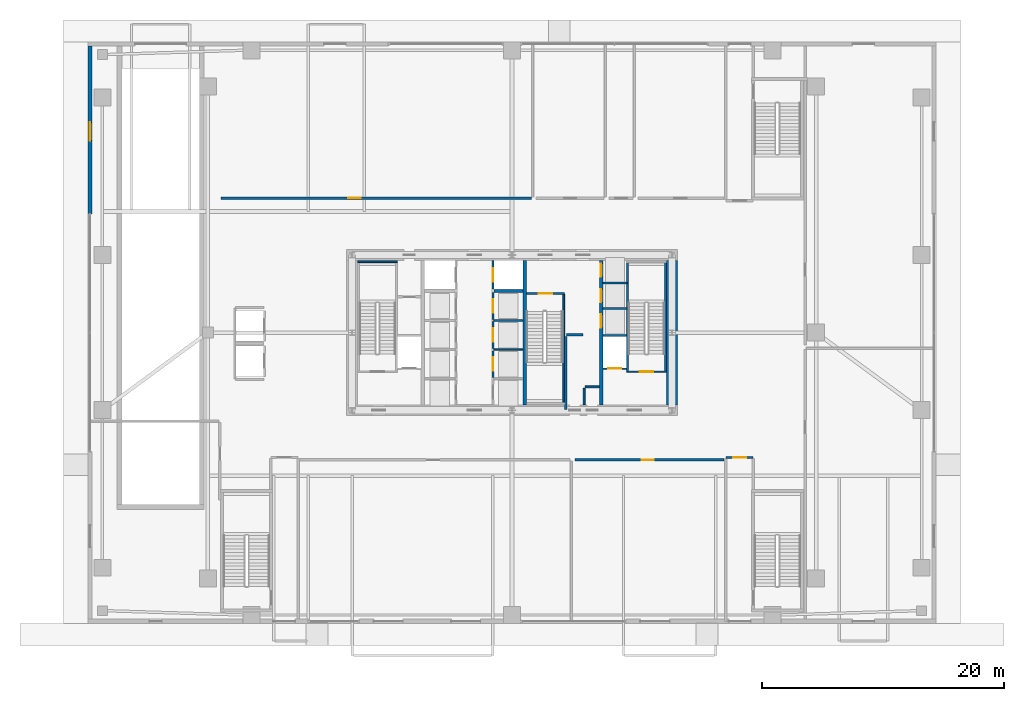
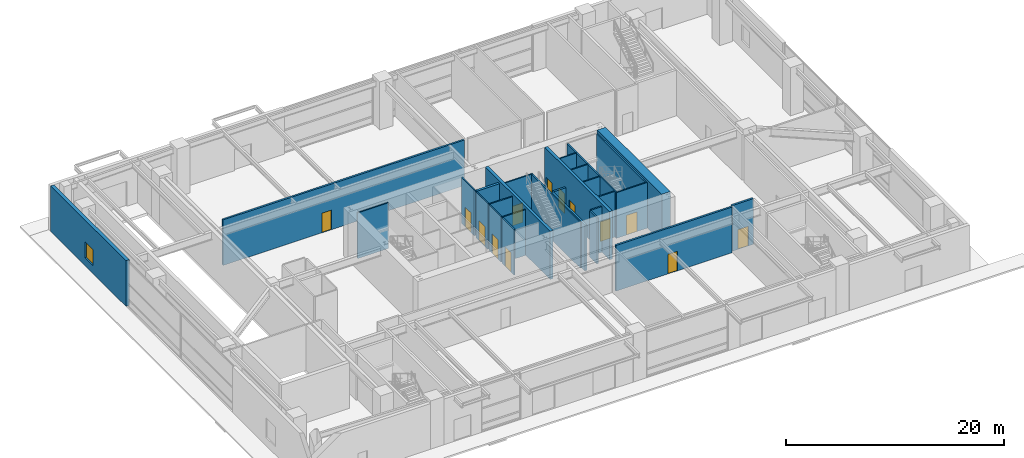
# One storey, part 26 of 32: 28 walls, 13 doors, 1 window, 14 openings.
"""IFC4 building model written with IfcOpenShell, lengths in metres."""

from ifc_helpers import new_model, si_unit, direction, frame, frame_2d, origin, place, context, subcontext, project, spatial, rectangle, extrude, source, transform, mapped, material, layer, layer_set, type_object, element, fill, save


model = new_model("IFC4")

# Units and contexts
model_context = context("Model", 3, precision=1e-05, world=origin(), true_north=direction((0.0, 1.0)))
body_context = subcontext(model_context, "Body", "Model", "MODEL_VIEW")
ifc_project = project(units=[si_unit("LENGTHUNIT", "METRE"), si_unit("AREAUNIT", "SQUARE_METRE"), si_unit("VOLUMEUNIT", "CUBIC_METRE"), si_unit("PLANEANGLEUNIT", "RADIAN"), si_unit("MASSUNIT", "GRAM", prefix="KILO"), si_unit("THERMODYNAMICTEMPERATUREUNIT", "KELVIN"), si_unit("POWERUNIT", "WATT")], contexts=[model_context])

# Site, building, storey
site_placement = place(None, origin())
site = spatial("IfcSite", under=ifc_project, at=site_placement, CompositionType="ELEMENT")
building_placement = place(site_placement, origin())
building = spatial("IfcBuilding", under=site, at=building_placement, Name="Yuzanri Waterfront Tower", CompositionType="ELEMENT")
storey_placement = place(building_placement, origin())
storey = spatial("IfcBuildingStorey", under=building, at=storey_placement, Name="L01", CompositionType="ELEMENT", Elevation=0.0)

# Wall, openings, doors
ifc_material_1 = material(Name="Concrete C50", Category="concrete")
ifc_layer_1 = layer(ifc_material_1, 0.300048828125)
ifc_layer_set_1 = layer_set([ifc_layer_1], Name="Concrete C50")
wall_type_1 = type_object("IfcWallType", Name="Concrete C50 Internal Core Shaft Structural Wall 300", PredefinedType="SOLIDWALL", material=ifc_layer_set_1)
wall_1_placement = place(storey_placement, frame((44.35009765625, 19.85009765625, 0.0), z_axis=(0.0, 0.0, 1.0), x_axis=(0.0, 1.0, 0.0)))
wall_1 = element("IfcWall", 1, at=wall_1_placement, inside=storey, type_object=wall_type_1, Name="L01 Core Internal Structural Web Wall 3", PredefinedType="SOLIDWALL", context=body_context, shape_type="SweptSolid", body=[
    extrude(rectangle(XDim=11.89990234375, YDim=0.300048828125, at=frame_2d((5.949951171875, 0.0))), origin(), (0.0, 0.0, 1.0), 5.39990234375),
])
opening_1_placement = place(wall_1_placement, frame((6.35009765625, 0.0, 0.0)))
opening_1 = element("IfcOpeningElement", 2, at=opening_1_placement, cuts=wall_1, Name="Opening LD-PL-09", PredefinedType="OPENING", context=body_context, shape_type="SweptSolid", body=[
    extrude(rectangle(XDim=1.10009765625, YDim=2.199951171875, at=frame_2d((0.550048828125, 1.10009765625))), frame((0.0, 0.1650390625, 0.0), z_axis=(0.0, -1.0, 0.0), x_axis=(1.0, 0.0, 0.0)), (0.0, 0.0, 1.0), 0.329833984375),
])
opening_2_placement = place(wall_1_placement, frame((8.449951171875, 0.0, 0.0)))
opening_2 = element("IfcOpeningElement", 3, at=opening_2_placement, cuts=wall_1, Name="Opening LD-PL-10", PredefinedType="OPENING", context=body_context, shape_type="SweptSolid", body=[
    extrude(rectangle(XDim=1.10009765625, YDim=2.199951171875, at=frame_2d((0.550048828125, 1.10009765625))), frame((0.0, 0.1650390625, 0.0), z_axis=(0.0, -1.0, 0.0), x_axis=(1.0, 0.0, 0.0)), (0.0, 0.0, 1.0), 0.329833984375),
])
opening_3_placement = place(wall_1_placement, frame((10.550048828125, 0.0, 0.0)))
opening_3 = element("IfcOpeningElement", 4, at=opening_3_placement, cuts=wall_1, Name="Opening LD-PL-11", PredefinedType="OPENING", context=body_context, shape_type="SweptSolid", body=[
    extrude(rectangle(XDim=1.10009765625, YDim=2.199951171875, at=frame_2d((0.550048828125, 1.10009765625))), frame((0.0, 0.1650390625, 0.0), z_axis=(0.0, -1.0, 0.0), x_axis=(1.0, 0.0, 0.0)), (0.0, 0.0, 1.0), 0.329833984375),
])
ifc_material_2 = material(Name="Brushed Bronze and Stainless Steel Cab", Category="steel")
door_type_1 = type_object("IfcDoorType", Name="Center-Parting Bronze Lift Landing Sliding Door 1100x2200", OperationType="NOTDEFINED", PredefinedType="DOOR", material=ifc_material_2)
shared_shape_1 = source(origin(), body_context, "Body", "SweptSolid", [
    extrude(rectangle(XDim=1.10009765625, YDim=2.199951171875, at=frame_2d((0.550048828125, 1.10009765625))), frame((0.0, 0.02490234375, 0.0), z_axis=(0.0, -1.0, 0.0), x_axis=(1.0, 0.0, 0.0)), (0.0, 0.0, 1.0), 0.050048828125),
])
door_1_placement = place(opening_1_placement, origin())
door_1 = element("IfcDoor", 5, at=door_1_placement, inside=storey, type_object=door_type_1, Name="L01 PL-09 Lift Landing Sliding Door", OperationType="SLIDING_TO_LEFT", OverallHeight=2.199951171875, OverallWidth=1.10009765625, PredefinedType="DOOR", context=body_context, shape_type="MappedRepresentation", body=[
    mapped(shared_shape_1, transform((0.0, 0.0, 0.0), scale=1.0)),
])
fill(opening_1, door_1)
door_2_placement = place(opening_2_placement, origin())
door_2 = element("IfcDoor", 6, at=door_2_placement, inside=storey, type_object=door_type_1, Name="L01 PL-10 Lift Landing Sliding Door", OperationType="SLIDING_TO_RIGHT", OverallHeight=2.199951171875, OverallWidth=1.10009765625, PredefinedType="DOOR", context=body_context, shape_type="MappedRepresentation", body=[
    mapped(shared_shape_1, transform((0.0, 0.0, 0.0), scale=1.0)),
])
fill(opening_2, door_2)
door_3_placement = place(opening_3_placement, origin())
door_3 = element("IfcDoor", 7, at=door_3_placement, inside=storey, type_object=door_type_1, Name="L01 PL-11 Lift Landing Sliding Door", OperationType="SLIDING_TO_LEFT", OverallHeight=2.199951171875, OverallWidth=1.10009765625, PredefinedType="DOOR", context=body_context, shape_type="MappedRepresentation", body=[
    mapped(shared_shape_1, transform((0.0, 0.0, 0.0), scale=1.0)),
])
fill(opening_3, door_3)

# Wall, opening, door
ifc_material_3 = material(Name="Concrete C40", Category="concrete")
ifc_layer_2 = layer(ifc_material_3, 0.139892578125)
ifc_layer_set_2 = layer_set([ifc_layer_2], Name="Concrete C40")
wall_type_2 = type_object("IfcWallType", Name="Core Stair Liner and Hoistway Shaft Wall 140", PredefinedType="SOLIDWALL", material=ifc_layer_set_2)
wall_2_placement = place(storey_placement, frame((44.52001953125, 22.830078125, 0.0), z_axis=(0.0, 0.0, 1.0), x_axis=(1.0, 0.0, 0.0)))
wall_2 = element("IfcWall", 8, at=wall_2_placement, inside=storey, type_object=wall_type_2, Name="L01 Lift FL-02 Front Shaft Wall", PredefinedType="SOLIDWALL", context=body_context, shape_type="SweptSolid", body=[
    extrude(rectangle(XDim=1.919921875, YDim=0.139892578125, at=frame_2d((0.9599609375, 0.0))), origin(), (0.0, 0.0, 1.0), 5.1201171875),
])
opening_4_placement = place(wall_2_placement, frame((0.409912109375, 0.0, 0.0)))
opening_4 = element("IfcOpeningElement", 9, at=opening_4_placement, cuts=wall_2, Name="Opening LD-FL-02", PredefinedType="OPENING", context=body_context, shape_type="SweptSolid", body=[
    extrude(rectangle(XDim=1.10009765625, YDim=2.199951171875, at=frame_2d((0.550048828125, 1.10009765625))), frame((0.0, 0.0849609375, 0.0), z_axis=(0.0, -1.0, 0.0), x_axis=(1.0, 0.0, 0.0)), (0.0, 0.0, 1.0), 0.169677734375),
])
door_4_placement = place(opening_4_placement, origin())
door_4 = element("IfcDoor", 10, at=door_4_placement, inside=storey, type_object=door_type_1, Name="L01 FL-02 Lift Landing Sliding Door", OperationType="SLIDING_TO_RIGHT", OverallHeight=2.199951171875, OverallWidth=1.10009765625, PredefinedType="DOOR", context=body_context, shape_type="MappedRepresentation", body=[
    mapped(shared_shape_1, transform((0.0, 0.0, 0.0), scale=1.0)),
])
fill(opening_4, door_4)

wall_3_placement = place(storey_placement, frame((35.429931640625, 22.10009765625, 0.0), z_axis=(0.0, 0.0, 1.0), x_axis=(0.0, 1.0, 0.0)))
wall_3 = element("IfcWall", 11, at=wall_3_placement, inside=storey, type_object=wall_type_2, Name="L01 Lift PL-06 Front Shaft Wall", PredefinedType="SOLIDWALL", context=body_context, shape_type="SweptSolid", body=[
    extrude(rectangle(XDim=2.199951171875, YDim=0.139892578125, at=frame_2d((1.10009765625, 0.0))), origin(), (0.0, 0.0, 1.0), 5.1201171875),
])
opening_5_placement = place(wall_3_placement, frame((0.550048828125, 0.0, 0.0)))
opening_5 = element("IfcOpeningElement", 12, at=opening_5_placement, cuts=wall_3, Name="Opening LD-PL-06", PredefinedType="OPENING", context=body_context, shape_type="SweptSolid", body=[
    extrude(rectangle(XDim=1.10009765625, YDim=2.199951171875, at=frame_2d((0.550048828125, 1.10009765625))), frame((0.0, 0.0849609375, 0.0), z_axis=(0.0, -1.0, 0.0), x_axis=(1.0, 0.0, 0.0)), (0.0, 0.0, 1.0), 0.169677734375),
])
door_5_placement = place(opening_5_placement, origin())
door_5 = element("IfcDoor", 13, at=door_5_placement, inside=storey, type_object=door_type_1, Name="L01 PL-06 Lift Landing Sliding Door", OperationType="SLIDING_TO_LEFT", OverallHeight=2.199951171875, OverallWidth=1.10009765625, PredefinedType="DOOR", context=body_context, shape_type="MappedRepresentation", body=[
    mapped(shared_shape_1, transform((0.0, 0.0, 0.0), scale=1.0)),
])
fill(opening_5, door_5)

wall_4_placement = place(storey_placement, frame((35.429931640625, 24.5, 0.0), z_axis=(0.0, 0.0, 1.0), x_axis=(0.0, 1.0, 0.0)))
wall_4 = element("IfcWall", 14, at=wall_4_placement, inside=storey, type_object=wall_type_2, Name="L01 Lift PL-07 Front Shaft Wall", PredefinedType="SOLIDWALL", context=body_context, shape_type="SweptSolid", body=[
    extrude(rectangle(XDim=2.199951171875, YDim=0.139892578125, at=frame_2d((1.10009765625, 0.0))), origin(), (0.0, 0.0, 1.0), 5.1201171875),
])
opening_6_placement = place(wall_4_placement, frame((0.550048828125, 0.0, 0.0)))
opening_6 = element("IfcOpeningElement", 15, at=opening_6_placement, cuts=wall_4, Name="Opening LD-PL-07", PredefinedType="OPENING", context=body_context, shape_type="SweptSolid", body=[
    extrude(rectangle(XDim=1.10009765625, YDim=2.199951171875, at=frame_2d((0.550048828125, 1.10009765625))), frame((0.0, 0.0849609375, 0.0), z_axis=(0.0, -1.0, 0.0), x_axis=(1.0, 0.0, 0.0)), (0.0, 0.0, 1.0), 0.169677734375),
])
door_6_placement = place(opening_6_placement, origin())
door_6 = element("IfcDoor", 16, at=door_6_placement, inside=storey, type_object=door_type_1, Name="L01 PL-07 Lift Landing Sliding Door", OperationType="SLIDING_TO_RIGHT", OverallHeight=2.199951171875, OverallWidth=1.10009765625, PredefinedType="DOOR", context=body_context, shape_type="MappedRepresentation", body=[
    mapped(shared_shape_1, transform((0.0, 0.0, 0.0), scale=1.0)),
])
fill(opening_6, door_6)

wall_5_placement = place(storey_placement, frame((35.429931640625, 26.89990234375, 0.0), z_axis=(0.0, 0.0, 1.0), x_axis=(0.0, 1.0, 0.0)))
wall_5 = element("IfcWall", 17, at=wall_5_placement, inside=storey, type_object=wall_type_2, Name="L01 Lift PL-08 Front Shaft Wall", PredefinedType="SOLIDWALL", context=body_context, shape_type="SweptSolid", body=[
    extrude(rectangle(XDim=2.2001953125, YDim=0.139892578125, at=frame_2d((1.10009765625, 0.0))), origin(), (0.0, 0.0, 1.0), 5.1201171875),
])
opening_7_placement = place(wall_5_placement, frame((0.550048828125, 0.0, 0.0)))
opening_7 = element("IfcOpeningElement", 18, at=opening_7_placement, cuts=wall_5, Name="Opening LD-PL-08", PredefinedType="OPENING", context=body_context, shape_type="SweptSolid", body=[
    extrude(rectangle(XDim=1.10009765625, YDim=2.199951171875, at=frame_2d((0.550048828125, 1.10009765625))), frame((0.0, 0.0849609375, 0.0), z_axis=(0.0, -1.0, 0.0), x_axis=(1.0, 0.0, 0.0)), (0.0, 0.0, 1.0), 0.169677734375),
])
door_7_placement = place(opening_7_placement, origin())
door_7 = element("IfcDoor", 19, at=door_7_placement, inside=storey, type_object=door_type_1, Name="L01 PL-08 Lift Landing Sliding Door", OperationType="SLIDING_TO_LEFT", OverallHeight=2.199951171875, OverallWidth=1.10009765625, PredefinedType="DOOR", context=body_context, shape_type="MappedRepresentation", body=[
    mapped(shared_shape_1, transform((0.0, 0.0, 0.0), scale=1.0)),
])
fill(opening_7, door_7)

wall_6_placement = place(storey_placement, frame((35.429931640625, 29.39990234375, 0.0), z_axis=(0.0, 0.0, 1.0), x_axis=(0.0, 1.0, 0.0)))
wall_6 = element("IfcWall", 20, at=wall_6_placement, inside=storey, type_object=wall_type_2, Name="L01 Lift SL-02 Front Shaft Wall", PredefinedType="SOLIDWALL", context=body_context, shape_type="SweptSolid", body=[
    extrude(rectangle(XDim=2.340087890625, YDim=0.139892578125, at=frame_2d((1.169921875, 0.0))), origin(), (0.0, 0.0, 1.0), 5.1201171875),
])
opening_8_placement = place(wall_6_placement, frame((0.6201171875, 0.0, 0.0)))
opening_8 = element("IfcOpeningElement", 21, at=opening_8_placement, cuts=wall_6, Name="Opening LD-SL-02", PredefinedType="OPENING", context=body_context, shape_type="SweptSolid", body=[
    extrude(rectangle(XDim=1.10009765625, YDim=2.199951171875, at=frame_2d((0.550048828125, 1.10009765625))), frame((0.0, 0.0849609375, 0.0), z_axis=(0.0, -1.0, 0.0), x_axis=(1.0, 0.0, 0.0)), (0.0, 0.0, 1.0), 0.169677734375),
])
door_8_placement = place(opening_8_placement, origin())
door_8 = element("IfcDoor", 22, at=door_8_placement, inside=storey, type_object=door_type_1, Name="L01 SL-02 Lift Landing Sliding Door", OperationType="SLIDING_TO_RIGHT", OverallHeight=2.199951171875, OverallWidth=1.10009765625, PredefinedType="DOOR", context=body_context, shape_type="MappedRepresentation", body=[
    mapped(shared_shape_1, transform((0.0, 0.0, 0.0), scale=1.0)),
])
fill(opening_8, door_8)

wall_7_placement = place(storey_placement, frame((46.4599609375, 22.570068359375, 0.0), z_axis=(0.0, 0.0, 1.0), x_axis=(1.0, 0.0, 0.0)))
wall_7 = element("IfcWall", 23, at=wall_7_placement, inside=storey, type_object=wall_type_2, Name="L01 Shaft Wall STW-L01-ST-02-S", PredefinedType="SOLIDWALL", context=body_context, shape_type="SweptSolid", body=[
    extrude(rectangle(XDim=3.280029296875, YDim=0.139892578125, at=frame_2d((1.64013671875, 0.0))), origin(), (0.0, 0.0, 1.0), 5.1201171875),
])
opening_9_placement = place(wall_7_placement, frame((1.090087890625, 0.0, 0.0)))
opening_9 = element("IfcOpeningElement", 24, at=opening_9_placement, cuts=wall_7, Name="Opening FD-1100", PredefinedType="OPENING", context=body_context, shape_type="SweptSolid", body=[
    extrude(rectangle(XDim=1.10009765625, YDim=2.199951171875, at=frame_2d((0.550048828125, 1.10009765625))), frame((0.0, 0.0849609375, 0.0), z_axis=(0.0, -1.0, 0.0), x_axis=(1.0, 0.0, 0.0)), (0.0, 0.0, 1.0), 0.169677734375),
])
ifc_material_4 = material(Name="Painted Galvanized Fire Steel", Category="steel")
door_type_2 = type_object("IfcDoorType", Name="Smoke-Proof Stair and Lobby Fire Door 1100x2200", OperationType="NOTDEFINED", PredefinedType="DOOR", material=ifc_material_4)
shared_shape_2 = source(origin(), body_context, "Body", "SweptSolid", [
    extrude(rectangle(XDim=1.10009765625, YDim=2.199951171875, at=frame_2d((0.550048828125, 1.10009765625))), frame((0.0, 0.02490234375, 0.0), z_axis=(0.0, -1.0, 0.0), x_axis=(1.0, 0.0, 0.0)), (0.0, 0.0, 1.0), 0.050048828125),
])
door_9_placement = place(opening_9_placement, origin())
door_9 = element("IfcDoor", 25, at=door_9_placement, inside=storey, type_object=door_type_2, Name="L01 Stair ST-02 Fire Door", OperationType="SINGLE_SWING_RIGHT", OverallHeight=2.199951171875, OverallWidth=1.10009765625, PredefinedType="DOOR", context=body_context, shape_type="MappedRepresentation", body=[
    mapped(shared_shape_2, transform((0.0, 0.0, 0.0), scale=1.0)),
])
fill(opening_9, door_9)

wall_8_placement = place(storey_placement, frame((38.199951171875, 29.030029296875, 0.0), z_axis=(0.0, 0.0, 1.0), x_axis=(1.0, 0.0, 0.0)))
wall_8 = element("IfcWall", 26, at=wall_8_placement, inside=storey, type_object=wall_type_2, Name="L01 Shaft Wall STW-L01-ST-03-N", PredefinedType="SOLIDWALL", context=body_context, shape_type="SweptSolid", body=[
    extrude(rectangle(XDim=3.14013671875, YDim=0.139892578125, at=frame_2d((1.570068359375, 0.0))), origin(), (0.0, 0.0, 1.0), 5.1201171875),
])
opening_10_placement = place(wall_8_placement, frame((1.02001953125, 0.0, 0.0)))
opening_10 = element("IfcOpeningElement", 27, at=opening_10_placement, cuts=wall_8, Name="Opening FD-1100", PredefinedType="OPENING", context=body_context, shape_type="SweptSolid", body=[
    extrude(rectangle(XDim=1.10009765625, YDim=2.199951171875, at=frame_2d((0.550048828125, 1.10009765625))), frame((0.0, 0.0849609375, 0.0), z_axis=(0.0, -1.0, 0.0), x_axis=(1.0, 0.0, 0.0)), (0.0, 0.0, 1.0), 0.169677734375),
])
door_10_placement = place(opening_10_placement, origin())
door_10 = element("IfcDoor", 28, at=door_10_placement, inside=storey, type_object=door_type_2, Name="L01 Stair ST-03 Fire Door", OperationType="SINGLE_SWING_LEFT", OverallHeight=2.199951171875, OverallWidth=1.10009765625, PredefinedType="DOOR", context=body_context, shape_type="MappedRepresentation", body=[
    mapped(shared_shape_2, transform((0.0, 0.0, 0.0), scale=1.0)),
])
fill(opening_10, door_10)

ifc_material_5 = material(Name="Autoclaved Aerated Concrete Blockwork", Category="masonry")
ifc_layer_3 = layer(ifc_material_5, 0.199951171875)
ifc_layer_set_3 = layer_set([ifc_layer_3], Name="Autoclaved Aerated Concrete Blockwork")
wall_type_3 = type_object("IfcWallType", Name="Corridor and Unit Party Fire Wall 200", PredefinedType="PARTITIONING", material=ifc_layer_set_3)
wall_9_placement = place(storey_placement, frame((54.64990234375, 15.5, 0.0), z_axis=(0.0, 0.0, 1.0), x_axis=(1.0, 0.0, 0.0)))
wall_9 = element("IfcWall", 29, at=wall_9_placement, inside=storey, type_object=wall_type_3, Name="L01 Partition EXW-L01-SE", PredefinedType="PARTITIONING", context=body_context, shape_type="SweptSolid", body=[
    extrude(rectangle(XDim=2.25, YDim=0.199951171875, at=frame_2d((1.125, 0.0))), origin(), (0.0, 0.0, 1.0), 5.1201171875),
])
opening_11_placement = place(wall_9_placement, frame((0.60009765625, 0.0, 0.0)))
opening_11 = element("IfcOpeningElement", 30, at=opening_11_placement, cuts=wall_9, Name="Opening FD-1100", PredefinedType="OPENING", context=body_context, shape_type="SweptSolid", body=[
    extrude(rectangle(XDim=1.10009765625, YDim=2.199951171875, at=frame_2d((0.550048828125, 1.10009765625))), frame((0.0, 0.11474609375, 0.0), z_axis=(0.0, -1.0, 0.0), x_axis=(1.0, 0.0, 0.0)), (0.0, 0.0, 1.0), 0.229736328125),
])
door_11_placement = place(opening_11_placement, origin())
door_11 = element("IfcDoor", 31, at=door_11_placement, inside=storey, type_object=door_type_2, Name="L01 South-East Protected Exit Passage Fire Door", OperationType="SINGLE_SWING_RIGHT", OverallHeight=2.199951171875, OverallWidth=1.10009765625, PredefinedType="DOOR", context=body_context, shape_type="MappedRepresentation", body=[
    mapped(shared_shape_2, transform((0.0, 0.0, 0.0), scale=1.0)),
])
fill(opening_11, door_11)

wall_10_placement = place(storey_placement, frame((42.199951171875, 15.300048828125, 0.0), z_axis=(0.0, 0.0, 1.0), x_axis=(1.0, 0.0, 0.0)))
wall_10 = element("IfcWall", 32, at=wall_10_placement, inside=storey, type_object=wall_type_3, Name="L01 Partition PRW-L01-028-N", PredefinedType="PARTITIONING", context=body_context, shape_type="SweptSolid", body=[
    extrude(rectangle(XDim=12.300048828125, YDim=0.199951171875, at=frame_2d((6.14990234375, 0.0))), origin(), (0.0, 0.0, 1.0), 5.1201171875),
])
opening_12_placement = place(wall_10_placement, frame((5.5, 0.0, 0.0)))
opening_12 = element("IfcOpeningElement", 33, at=opening_12_placement, cuts=wall_10, Name="Opening FD-1000", PredefinedType="OPENING", context=body_context, shape_type="SweptSolid", body=[
    extrude(rectangle(XDim=1.0, YDim=2.199951171875, at=frame_2d((0.5, 1.10009765625))), frame((0.0, 0.11474609375, 0.0), z_axis=(0.0, -1.0, 0.0), x_axis=(1.0, 0.0, 0.0)), (0.0, 0.0, 1.0), 0.229736328125),
])
ifc_material_6 = material(Name="Engineered Oak Fire-Rated Timber", Category="wood")
door_type_3 = type_object("IfcDoorType", Name="Guestroom and Apartment Entrance Fire Door 1000x2200", OperationType="NOTDEFINED", PredefinedType="DOOR", material=ifc_material_6)
shared_shape_3 = source(origin(), body_context, "Body", "SweptSolid", [
    extrude(rectangle(XDim=1.0, YDim=2.199951171875, at=frame_2d((0.5, 1.10009765625))), frame((0.0, 0.02490234375, 0.0), z_axis=(0.0, -1.0, 0.0), x_axis=(1.0, 0.0, 0.0)), (0.0, 0.0, 1.0), 0.050048828125),
])
door_12_placement = place(opening_12_placement, origin())
door_12 = element("IfcDoor", 34, at=door_12_placement, inside=storey, type_object=door_type_3, Name="L01 Branded Residences Entrance Lobby", OperationType="SINGLE_SWING_RIGHT", OverallHeight=2.199951171875, OverallWidth=1.0, PredefinedType="DOOR", context=body_context, shape_type="MappedRepresentation", body=[
    mapped(shared_shape_3, transform((0.0, 0.0, 0.0), scale=1.0)),
])
fill(opening_12, door_12)

wall_11_placement = place(storey_placement, frame((13.0, 36.89990234375, 0.0), z_axis=(0.0, 0.0, 1.0), x_axis=(1.0, 0.0, 0.0)))
wall_11 = element("IfcWall", 35, at=wall_11_placement, inside=storey, type_object=wall_type_3, Name="L01 Partition PRW-L01-031-S", PredefinedType="PARTITIONING", context=body_context, shape_type="SweptSolid", body=[
    extrude(rectangle(XDim=25.60009765625, YDim=0.199951171875, at=frame_2d((12.800048828125, 0.0))), origin(), (0.0, 0.0, 1.0), 5.1201171875),
])
opening_13_placement = place(wall_11_placement, frame((10.5, 0.0, 0.0)))
opening_13 = element("IfcOpeningElement", 36, at=opening_13_placement, cuts=wall_11, Name="Opening FD-1000", PredefinedType="OPENING", context=body_context, shape_type="SweptSolid", body=[
    extrude(rectangle(XDim=1.0, YDim=2.199951171875, at=frame_2d((0.5, 1.10009765625))), frame((0.0, 0.11474609375, 0.0), z_axis=(0.0, -1.0, 0.0), x_axis=(1.0, 0.0, 0.0)), (0.0, 0.0, 1.0), 0.229736328125),
])
door_13_placement = place(opening_13_placement, origin())
door_13 = element("IfcDoor", 37, at=door_13_placement, inside=storey, type_object=door_type_3, Name="L01 North Boutique Retail Shop", OperationType="SINGLE_SWING_LEFT", OverallHeight=2.199951171875, OverallWidth=1.0, PredefinedType="DOOR", context=body_context, shape_type="MappedRepresentation", body=[
    mapped(shared_shape_3, transform((0.0, 0.0, 0.0), scale=1.0)),
])
fill(opening_13, door_13)

# Wall, opening, window
ifc_material_7 = material(Name="Honed Chongqing Dark Basalt Stone", Category="masonry")
ifc_layer_4 = layer(ifc_material_7, 0.360107421875)
ifc_layer_set_4 = layer_set([ifc_layer_4], Name="Honed Chongqing Dark Basalt Stone")
wall_type_4 = type_object("IfcWallType", Name="Honed Basalt Stone Masonry-Frame Spandrel Wall 360", PredefinedType="SOLIDWALL", material=ifc_layer_set_4)
wall_12_placement = place(storey_placement, frame((2.179931640625, 35.60009765625, 0.0), z_axis=(0.0, 0.0, 1.0), x_axis=(0.0, 1.0, 0.0)))
wall_12 = element("IfcWall", 38, at=wall_12_placement, inside=storey, type_object=wall_type_4, Name="L01 W North Basalt Pier", PredefinedType="SOLIDWALL", context=body_context, shape_type="SweptSolid", body=[
    extrude(rectangle(XDim=13.83984375, YDim=0.360107421875, at=frame_2d((6.919921875, 0.0))), origin(), (0.0, 0.0, 1.0), 5.1201171875),
])
opening_14_placement = place(wall_12_placement, frame((6.050048828125, 0.0, 0.89990234375)))
opening_14 = element("IfcOpeningElement", 39, at=opening_14_placement, cuts=wall_12, Name="Opening WN-04", PredefinedType="OPENING", context=body_context, shape_type="SweptSolid", body=[
    extrude(rectangle(XDim=1.5, YDim=1.800048828125, at=frame_2d((0.75, 0.89990234375))), frame((0.0, 0.19482421875, 0.0), z_axis=(0.0, -1.0, 0.0), x_axis=(1.0, 0.0, 0.0)), (0.0, 0.0, 1.0), 0.389892578125),
])
ifc_material_8 = material(Name="Double-Silver Low-E Insulated Glass", Category="glass")
window_type = type_object("IfcWindowType", Name="Anodized Bronze Suite Operable Tilt-Turn Window 1500x1800", PartitioningType="SINGLE_PANEL", PredefinedType="WINDOW", material=ifc_material_8)
shared_shape_4 = source(origin(), body_context, "Body", "SweptSolid", [
    extrude(rectangle(XDim=1.5, YDim=1.800048828125, at=frame_2d((0.75, 0.89990234375))), frame((0.0, 0.030029296875, 0.0), z_axis=(0.0, -1.0, 0.0), x_axis=(1.0, 0.0, 0.0)), (0.0, 0.0, 1.0), 0.06005859375),
])
window_placement = place(opening_14_placement, origin())
window = element("IfcWindow", 40, at=window_placement, inside=storey, type_object=window_type, Name="L01 WN Window", OverallHeight=1.800048828125, OverallWidth=1.5, PartitioningType="SINGLE_PANEL", PredefinedType="WINDOW", context=body_context, shape_type="MappedRepresentation", body=[
    mapped(shared_shape_4, transform((0.0, 0.0, 0.0), scale=1.0)),
])
fill(opening_14, window)

# Walls
ifc_material_9 = material(Name="Concrete C60", Category="concrete")
ifc_layer_5 = layer(ifc_material_9, 0.89990234375)
ifc_layer_set_5 = layer_set([ifc_layer_5], Name="Concrete C60")
wall_type_5 = type_object("IfcWallType", Name="Concrete C60 Lower Zone Core Shear Wall 900", PredefinedType="SHEAR", material=ifc_layer_set_5)
shared_shape_5 = source(origin(), body_context, "Body", "SweptSolid", [
    extrude(rectangle(XDim=11.89990234375, YDim=0.89990234375, at=frame_2d((5.949951171875, 0.0))), origin(), (0.0, 0.0, 1.0), 5.39990234375),
])
wall_13_placement = place(storey_placement, frame((50.199951171875, 19.85009765625, 0.0), z_axis=(0.0, 0.0, 1.0), x_axis=(0.0, 1.0, 0.0)))
element("IfcWall", 41, at=wall_13_placement, inside=storey, type_object=wall_type_5, Name="L01 Core East Shear Wall", PredefinedType="SHEAR", context=body_context, shape_type="MappedRepresentation", body=[
    mapped(shared_shape_5, transform((0.0, 0.0, 0.0), scale=1.0)),
])
shared_shape_6 = source(origin(), body_context, "Body", "SweptSolid", [
    extrude(rectangle(XDim=11.89990234375, YDim=0.300048828125, at=frame_2d((5.949951171875, 0.0))), origin(), (0.0, 0.0, 1.0), 5.39990234375),
])
wall_14_placement = place(storey_placement, frame((38.050048828125, 19.85009765625, 0.0), z_axis=(0.0, 0.0, 1.0), x_axis=(0.0, 1.0, 0.0)))
element("IfcWall", 42, at=wall_14_placement, inside=storey, type_object=wall_type_1, Name="L01 Core Internal Structural Web Wall 2", PredefinedType="SOLIDWALL", context=body_context, shape_type="MappedRepresentation", body=[
    mapped(shared_shape_6, transform((0.0, 0.0, 0.0), scale=1.0)),
])
shared_shape_7 = source(origin(), body_context, "Body", "SweptSolid", [
    extrude(rectangle(XDim=1.919921875, YDim=0.139892578125, at=frame_2d((0.9599609375, 0.0))), origin(), (0.0, 0.0, 1.0), 5.1201171875),
])
wall_15_placement = place(storey_placement, frame((44.52001953125, 25.570068359375, 0.0), z_axis=(0.0, 0.0, 1.0), x_axis=(1.0, 0.0, 0.0)))
element("IfcWall", 43, at=wall_15_placement, inside=storey, type_object=wall_type_2, Name="L01 Lift FL-02 Back Shaft Wall", PredefinedType="SOLIDWALL", context=body_context, shape_type="MappedRepresentation", body=[
    mapped(shared_shape_7, transform((0.0, 0.0, 0.0), scale=1.0)),
])
shared_shape_8 = source(origin(), body_context, "Body", "SweptSolid", [
    extrude(rectangle(XDim=2.39990234375, YDim=0.139892578125, at=frame_2d((1.199951171875, 0.0))), origin(), (0.0, 0.0, 1.0), 5.1201171875),
])
for number, where, z_axis, x_axis, name in (
    (44, (35.5, 24.39990234375, 0.0), (0.0, 0.0, 1.0), (1.0, 0.0, 0.0), "L01 Lift PL-06 Divider Wall"),
    (45, (35.5, 26.800048828125, 0.0), (0.0, 0.0, 1.0), (1.0, 0.0, 0.0), "L01 Lift PL-07 Divider Wall"),
):
    element("IfcWall", number, at=place(storey_placement, frame(where, z_axis=z_axis, x_axis=x_axis)), inside=storey, type_object=wall_type_2, Name=name, PredefinedType="SOLIDWALL", context=body_context, shape_type="MappedRepresentation", body=[
        mapped(shared_shape_8, transform((0.0, 0.0, 0.0), scale=1.0)),
    ])
ifc_material_10 = material(Name="Concrete C40", Category="concrete")
ifc_layer_6 = layer(ifc_material_10, 0.25)
ifc_layer_set_6 = layer_set([ifc_layer_6], Name="Concrete C40")
wall_type_6 = type_object("IfcWallType", Name="Smoke-Proof Stair and Lift Shaft Wall 250", PredefinedType="SOLIDWALL", material=ifc_layer_set_6)
shared_shape_9 = source(origin(), body_context, "Body", "SweptSolid", [
    extrude(rectangle(XDim=2.39990234375, YDim=0.25, at=frame_2d((1.199951171875, 0.0))), origin(), (0.0, 0.0, 1.0), 5.1201171875),
])
wall_16_placement = place(storey_placement, frame((35.5, 29.25, 0.0), z_axis=(0.0, 0.0, 1.0), x_axis=(1.0, 0.0, 0.0)))
element("IfcWall", 46, at=wall_16_placement, inside=storey, type_object=wall_type_6, Name="L01 Lift SL-02 South Shaft Wall", PredefinedType="SOLIDWALL", context=body_context, shape_type="MappedRepresentation", body=[
    mapped(shared_shape_9, transform((0.0, 0.0, 0.0), scale=1.0)),
])
shared_shape_10 = source(origin(), body_context, "Body", "SweptSolid", [
    extrude(rectangle(XDim=2.0, YDim=0.139892578125, at=frame_2d((1.0, 0.0))), origin(), (0.0, 0.0, 1.0), 5.1201171875),
])
for number, where, z_axis, x_axis, name in (
    (47, (44.5, 27.800048828125, 0.0), (0.0, 0.0, 1.0), (1.0, 0.0, 0.0), "L01 Lift PL-09 Divider Wall"),
    (48, (44.5, 29.89990234375, 0.0), (0.0, 0.0, 1.0), (1.0, 0.0, 0.0), "L01 Lift PL-10 Divider Wall"),
):
    element("IfcWall", number, at=place(storey_placement, frame(where, z_axis=z_axis, x_axis=x_axis)), inside=storey, type_object=wall_type_2, Name=name, PredefinedType="SOLIDWALL", context=body_context, shape_type="MappedRepresentation", body=[
        mapped(shared_shape_10, transform((0.0, 0.0, 0.0), scale=1.0)),
    ])
shared_shape_11 = source(origin(), body_context, "Body", "SweptSolid", [
    extrude(rectangle(XDim=3.280029296875, YDim=0.139892578125, at=frame_2d((1.64013671875, 0.0))), origin(), (0.0, 0.0, 1.0), 5.1201171875),
])
wall_17_placement = place(storey_placement, frame((24.260009765625, 31.64990234375, 0.0), z_axis=(0.0, 0.0, 1.0), x_axis=(1.0, 0.0, 0.0)))
element("IfcWall", 49, at=wall_17_placement, inside=storey, type_object=wall_type_2, Name="L01 Stair ST-01 North Shaft Wall", PredefinedType="SOLIDWALL", context=body_context, shape_type="MappedRepresentation", body=[
    mapped(shared_shape_11, transform((0.0, 0.0, 0.0), scale=1.0)),
])
shared_shape_12 = source(origin(), body_context, "Body", "SweptSolid", [
    extrude(rectangle(XDim=8.940185546875, YDim=0.139892578125, at=frame_2d((4.47021484375, 0.0))), origin(), (0.0, 0.0, 1.0), 5.1201171875),
])
for number, where, z_axis, x_axis, name in (
    (50, (46.530029296875, 22.639892578125, 0.0), (0.0, 0.0, 1.0), (0.0, 1.0, 0.0), "L01 Stair ST-02 West Shaft Wall"),
    (51, (49.669921875, 22.639892578125, 0.0), (0.0, 0.0, 1.0), (0.0, 1.0, 0.0), "L01 Stair ST-02 East Shaft Wall"),
):
    element("IfcWall", number, at=place(storey_placement, frame(where, z_axis=z_axis, x_axis=x_axis)), inside=storey, type_object=wall_type_2, Name=name, PredefinedType="SOLIDWALL", context=body_context, shape_type="MappedRepresentation", body=[
        mapped(shared_shape_12, transform((0.0, 0.0, 0.0), scale=1.0)),
    ])
shared_shape_13 = source(origin(), body_context, "Body", "SweptSolid", [
    extrude(rectangle(XDim=8.93994140625, YDim=0.139892578125, at=frame_2d((4.469970703125, 0.0))), origin(), (0.0, 0.0, 1.0), 5.1201171875),
])
wall_18_placement = place(storey_placement, frame((41.27001953125, 20.02001953125, 0.0), z_axis=(0.0, 0.0, 1.0), x_axis=(0.0, 1.0, 0.0)))
element("IfcWall", 52, at=wall_18_placement, inside=storey, type_object=wall_type_2, Name="L01 Stair ST-03 East Shaft Wall", PredefinedType="SOLIDWALL", context=body_context, shape_type="MappedRepresentation", body=[
    mapped(shared_shape_13, transform((0.0, 0.0, 0.0), scale=1.0)),
])
ifc_material_11 = material(Name="Gypsum Fireboard Acoustic Stud Wall", Category="gypsum")
ifc_layer_7 = layer(ifc_material_11, 0.159912109375)
ifc_layer_set_7 = layer_set([ifc_layer_7], Name="Gypsum Fireboard Acoustic Stud Wall")
wall_type_7 = type_object("IfcWallType", Name="Acoustic Suite Demising Partition 160", PredefinedType="PARTITIONING", material=ifc_layer_set_7)
shared_shape_14 = source(origin(), body_context, "Body", "SweptSolid", [
    extrude(rectangle(XDim=1.33984375, YDim=0.159912109375, at=frame_2d((0.669921875, 0.0))), origin(), (0.0, 0.0, 1.0), 5.1201171875),
])
wall_19_placement = place(storey_placement, frame((42.949951171875, 19.860107421875, 0.0), z_axis=(0.0, 0.0, 1.0), x_axis=(0.0, 1.0, 0.0)))
element("IfcWall", 53, at=wall_19_placement, inside=storey, type_object=wall_type_7, Name="L01 East Wet Riser West Wall", PredefinedType="PARTITIONING", context=body_context, shape_type="MappedRepresentation", body=[
    mapped(shared_shape_14, transform((0.0, 0.0, 0.0), scale=1.0)),
])
shared_shape_15 = source(origin(), body_context, "Body", "SweptSolid", [
    extrude(rectangle(XDim=1.169921875, YDim=0.159912109375, at=frame_2d((0.5849609375, 0.0))), origin(), (0.0, 0.0, 1.0), 5.1201171875),
])
wall_20_placement = place(storey_placement, frame((43.030029296875, 21.320068359375, 0.0), z_axis=(0.0, 0.0, 1.0), x_axis=(1.0, 0.0, 0.0)))
element("IfcWall", 54, at=wall_20_placement, inside=storey, type_object=wall_type_7, Name="L01 East Wet Riser North Wall", PredefinedType="PARTITIONING", context=body_context, shape_type="MappedRepresentation", body=[
    mapped(shared_shape_15, transform((0.0, 0.0, 0.0), scale=1.0)),
])
shared_shape_16 = source(origin(), body_context, "Body", "SweptSolid", [
    extrude(rectangle(XDim=6.06005859375, YDim=0.199951171875, at=frame_2d((3.030029296875, 0.0))), origin(), (0.0, 0.0, 1.0), 5.1201171875),
])
wall_21_placement = place(storey_placement, frame((41.449951171875, 19.43994140625, 0.0), z_axis=(0.0, 0.0, 1.0), x_axis=(0.0, 1.0, 0.0)))
element("IfcWall", 55, at=wall_21_placement, inside=storey, type_object=wall_type_3, Name="L01 Core BOH West Wall 1", PredefinedType="PARTITIONING", context=body_context, shape_type="MappedRepresentation", body=[
    mapped(shared_shape_16, transform((0.0, 0.0, 0.0), scale=1.0)),
])
shared_shape_17 = source(origin(), body_context, "Body", "SweptSolid", [
    extrude(rectangle(XDim=1.35009765625, YDim=0.199951171875, at=frame_2d((0.675048828125, 0.0))), origin(), (0.0, 0.0, 1.0), 5.1201171875),
])
wall_22_placement = place(storey_placement, frame((41.5, 25.6201171875, 0.0), z_axis=(0.0, 0.0, 1.0), x_axis=(1.0, 0.0, 0.0)))
element("IfcWall", 56, at=wall_22_placement, inside=storey, type_object=wall_type_3, Name="L01 Core BOH Split Wall 1", PredefinedType="PARTITIONING", context=body_context, shape_type="MappedRepresentation", body=[
    mapped(shared_shape_17, transform((0.0, 0.0, 0.0), scale=1.0)),
])

save(model, "model.ifc")
